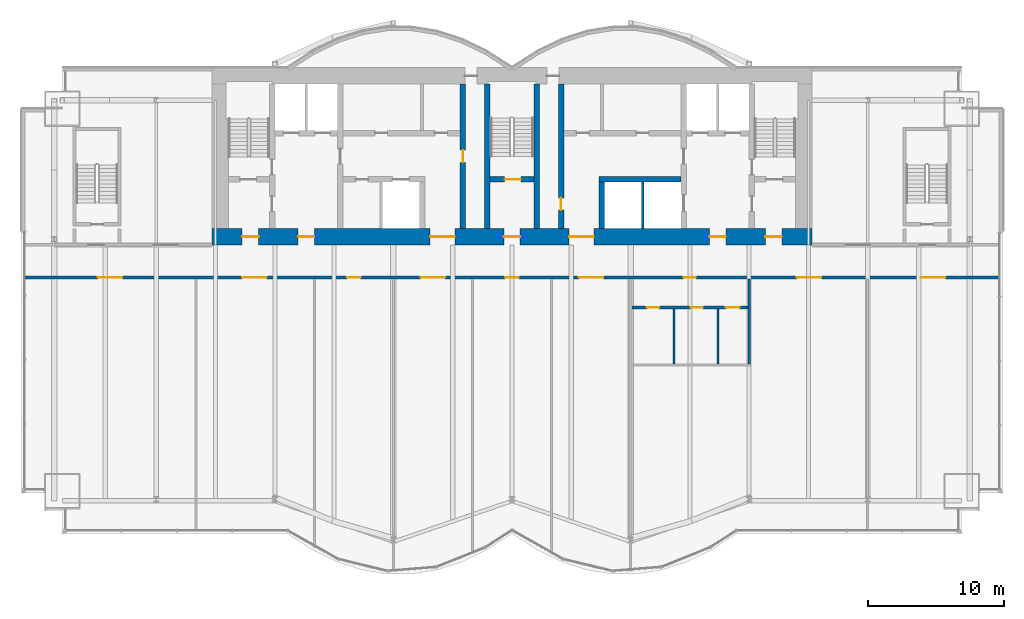
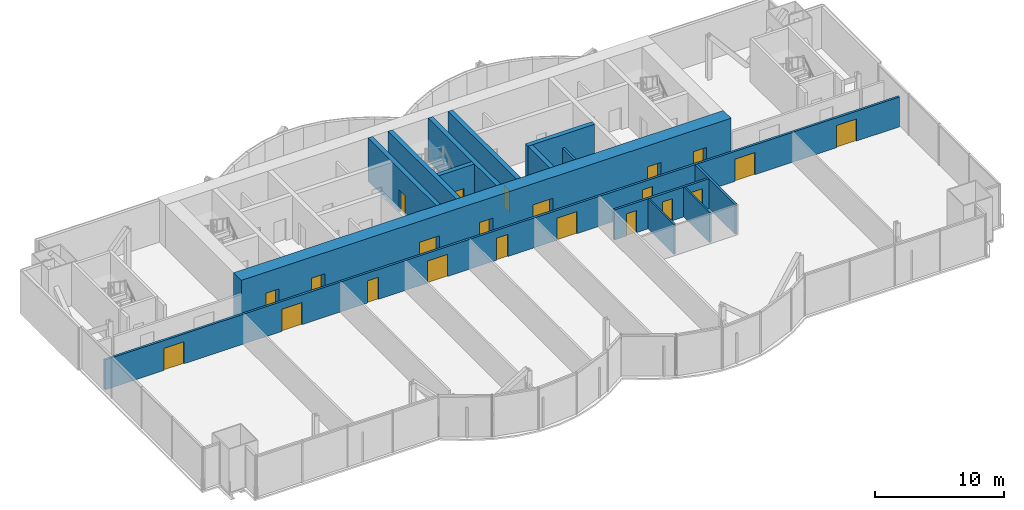
# One storey, part 16 of 21: 22 doors, 14 walls, 22 openings.
"""IFC4 building model written with IfcOpenShell, lengths in metres."""

from ifc_helpers import new_model, si_unit, direction, frame, frame_2d, origin, place, context, subcontext, project, spatial, rectangle, extrude, material, layer, layer_set, type_object, element, fill, save


model = new_model("IFC4")

# Units and contexts
model_context = context("Model", 3, precision=1e-05, world=origin(), true_north=direction((0.0, 1.0)))
body_context = subcontext(model_context, "Body", "Model", "MODEL_VIEW")
ifc_project = project(units=[si_unit("LENGTHUNIT", "METRE"), si_unit("AREAUNIT", "SQUARE_METRE"), si_unit("VOLUMEUNIT", "CUBIC_METRE"), si_unit("PLANEANGLEUNIT", "RADIAN"), si_unit("MASSUNIT", "GRAM", prefix="KILO")], contexts=[model_context])

# Site, building, storey
site_placement = place(None, origin())
site = spatial("IfcSite", under=ifc_project, at=site_placement, CompositionType="ELEMENT")
building_placement = place(site_placement, origin())
building = spatial("IfcBuilding", under=site, at=building_placement, Name="Bicima Exchange Tower", CompositionType="ELEMENT")
storey_placement = place(building_placement, frame((0.0, 0.0, 173.199951171875)))
storey = spatial("IfcBuildingStorey", under=building, at=storey_placement, Name="L38", CompositionType="ELEMENT", Elevation=173.199951171875)

# Wall
ifc_material_1 = material(Name="Gypsum board partition")
ifc_layer_1 = layer(ifc_material_1, 0.199951171875)
ifc_layer_set_1 = layer_set([ifc_layer_1], Name="Gypsum board partition")
wall_type_1 = type_object("IfcWallType", Name="Fire-rated gypsum partition 200 EI120", PredefinedType="PARTITIONING", material=ifc_layer_set_1)
wall_1_placement = place(storey_placement, frame((9.60009765625, -11.800048828125, 0.0), z_axis=(0.0, 0.0, 1.0), x_axis=(0.0, 1.0, 0.0)))
element("IfcWall", 1, at=wall_1_placement, inside=storey, type_object=wall_type_1, Name="partition wall 20", PredefinedType="PARTITIONING", context=body_context, shape_type="SweptSolid", body=[
    extrude(rectangle(XDim=3.400146484375, YDim=0.199951171875, at=frame_2d((1.7001953125, 0.0))), origin(), (0.0, 0.0, 1.0), 2.84033203125),
])

# Wall, openings, doors
ifc_layer_2 = layer(ifc_material_1, 0.199951171875)
ifc_layer_set_2 = layer_set([ifc_layer_2], Name="Gypsum board partition")
wall_type_2 = type_object("IfcWallType", Name="Fire-rated gypsum partition 200 EI60", PredefinedType="PARTITIONING", material=ifc_layer_set_2)
wall_2_placement = place(storey_placement, frame((8.800048828125, -17.60009765625, 0.0), z_axis=(0.0, 0.0, 1.0), x_axis=(1.0, 0.0, 0.0)))
wall_2 = element("IfcWall", 2, at=wall_2_placement, inside=storey, type_object=wall_type_2, Name="partition wall 2", PredefinedType="PARTITIONING", context=body_context, shape_type="SweptSolid", body=[
    extrude(rectangle(XDim=8.5, YDim=0.199951171875, at=frame_2d((4.25, 0.0))), origin(), (0.0, 0.0, 1.0), 2.84033203125),
])
opening_1_placement = place(wall_2_placement, frame((1.10009765625, 0.0, 0.0)))
opening_1 = element("IfcOpeningElement", 3, at=opening_1_placement, cuts=wall_2, Name="Opening L38-014", PredefinedType="OPENING", context=body_context, shape_type="SweptSolid", body=[
    extrude(rectangle(XDim=0.89990234375, YDim=2.10009765625, at=frame_2d((0.449951171875, 1.050048828125))), frame((0.0, 0.11181640625, 0.0), z_axis=(0.0, -1.0, 0.0), x_axis=(1.0, 0.0, 0.0)), (0.0, 0.0, 1.0), 0.223876953125),
])
opening_2_placement = place(wall_2_placement, frame((4.300048828125, 0.0, 0.0)))
opening_2 = element("IfcOpeningElement", 4, at=opening_2_placement, cuts=wall_2, Name="Opening L38-015", PredefinedType="OPENING", context=body_context, shape_type="SweptSolid", body=[
    extrude(rectangle(XDim=0.89990234375, YDim=2.10009765625, at=frame_2d((0.449951171875, 1.050048828125))), frame((0.0, 0.11181640625, 0.0), z_axis=(0.0, -1.0, 0.0), x_axis=(1.0, 0.0, 0.0)), (0.0, 0.0, 1.0), 0.223876953125),
])
opening_3_placement = place(wall_2_placement, frame((6.89990234375, 0.0, 0.0)))
opening_3 = element("IfcOpeningElement", 5, at=opening_3_placement, cuts=wall_2, Name="Opening L38-016", PredefinedType="OPENING", context=body_context, shape_type="SweptSolid", body=[
    extrude(rectangle(XDim=1.0, YDim=2.10009765625, at=frame_2d((0.5, 1.050048828125))), frame((0.0, 0.11181640625, 0.0), z_axis=(0.0, -1.0, 0.0), x_axis=(1.0, 0.0, 0.0)), (0.0, 0.0, 1.0), 0.223876953125),
])
ifc_material_2 = material(Name="Steel fire door leaf", Category="steel")
door_type_1 = type_object("IfcDoorType", Name="Door 1000 swing FD30S", OperationType="SINGLE_SWING_LEFT", PredefinedType="DOOR", material=ifc_material_2)
door_1_placement = place(opening_3_placement, frame((1.0, 0.0, 0.0), z_axis=(0.0, 0.0, 1.0), x_axis=(-1.0, 0.0, 0.0)))
door_1 = element("IfcDoor", 6, at=door_1_placement, inside=storey, type_object=door_type_1, Name="Door", OperationType="SINGLE_SWING_LEFT", OverallHeight=2.10009765625, OverallWidth=1.0, PredefinedType="DOOR", context=body_context, shape_type="SweptSolid", body=[
    extrude(rectangle(XDim=1.0, YDim=2.10009765625, at=frame_2d((0.5, 1.050048828125))), frame((0.0, 0.02490234375, 0.0), z_axis=(0.0, -1.0, 0.0), x_axis=(1.0, 0.0, 0.0)), (0.0, 0.0, 1.0), 0.050048828125),
])
fill(opening_3, door_1)
door_type_2 = type_object("IfcDoorType", Name="Door 900 swing FD30S", OperationType="SINGLE_SWING_LEFT", PredefinedType="DOOR", material=ifc_material_2)
door_2_placement = place(opening_1_placement, frame((0.89990234375, 0.0, 0.0), z_axis=(0.0, 0.0, 1.0), x_axis=(-1.0, 0.0, 0.0)))
door_2 = element("IfcDoor", 7, at=door_2_placement, inside=storey, type_object=door_type_2, Name="Door", OperationType="SINGLE_SWING_RIGHT", OverallHeight=2.10009765625, OverallWidth=0.89990234375, PredefinedType="DOOR", context=body_context, shape_type="SweptSolid", body=[
    extrude(rectangle(XDim=0.89990234375, YDim=2.10009765625, at=frame_2d((0.449951171875, 1.050048828125))), frame((0.0, 0.02490234375, 0.0), z_axis=(0.0, -1.0, 0.0), x_axis=(1.0, 0.0, 0.0)), (0.0, 0.0, 1.0), 0.050048828125),
])
fill(opening_1, door_2)
door_3_placement = place(opening_2_placement, frame((0.89990234375, 0.0, 0.0), z_axis=(0.0, 0.0, 1.0), x_axis=(-1.0, 0.0, 0.0)))
door_3 = element("IfcDoor", 8, at=door_3_placement, inside=storey, type_object=door_type_2, Name="Door", OperationType="SINGLE_SWING_RIGHT", OverallHeight=2.10009765625, OverallWidth=0.89990234375, PredefinedType="DOOR", context=body_context, shape_type="SweptSolid", body=[
    extrude(rectangle(XDim=0.89990234375, YDim=2.10009765625, at=frame_2d((0.449951171875, 1.050048828125))), frame((0.0, 0.02490234375, 0.0), z_axis=(0.0, -1.0, 0.0), x_axis=(1.0, 0.0, 0.0)), (0.0, 0.0, 1.0), 0.050048828125),
])
fill(opening_2, door_3)

wall_3_placement = place(storey_placement, frame((-35.679931640625, -15.39990234375, 0.0), z_axis=(0.0, 0.0, 1.0), x_axis=(1.0, 0.0, 0.0)))
wall_3 = element("IfcWall", 9, at=wall_3_placement, inside=storey, type_object=wall_type_2, Name="partition wall 3", PredefinedType="PARTITIONING", context=body_context, shape_type="SweptSolid", body=[
    extrude(rectangle(XDim=71.35986328125, YDim=0.199951171875, at=frame_2d((35.679931640625, 0.0))), origin(), (0.0, 0.0, 1.0), 2.84033203125),
])
opening_4_placement = place(wall_3_placement, frame((5.300048828125, 0.0, 0.0)))
opening_4 = element("IfcOpeningElement", 10, at=opening_4_placement, cuts=wall_3, Name="Opening L38-007", PredefinedType="OPENING", context=body_context, shape_type="SweptSolid", body=[
    extrude(rectangle(XDim=1.800048828125, YDim=2.10009765625, at=frame_2d((0.89990234375, 1.050048828125))), frame((0.0, 0.11181640625, 0.0), z_axis=(0.0, -1.0, 0.0), x_axis=(1.0, 0.0, 0.0)), (0.0, 0.0, 1.0), 0.223876953125),
])
opening_5_placement = place(wall_3_placement, frame((15.8798828125, 0.0, 0.0)))
opening_5 = element("IfcOpeningElement", 11, at=opening_5_placement, cuts=wall_3, Name="Opening L38-008", PredefinedType="OPENING", context=body_context, shape_type="SweptSolid", body=[
    extrude(rectangle(XDim=1.800048828125, YDim=2.10009765625, at=frame_2d((0.89990234375, 1.050048828125))), frame((0.0, 0.11181640625, 0.0), z_axis=(0.0, -1.0, 0.0), x_axis=(1.0, 0.0, 0.0)), (0.0, 0.0, 1.0), 0.223876953125),
])
opening_6_placement = place(wall_3_placement, frame((23.580078125, 0.0, 0.0)))
opening_6 = element("IfcOpeningElement", 12, at=opening_6_placement, cuts=wall_3, Name="Opening L38-009", PredefinedType="OPENING", context=body_context, shape_type="SweptSolid", body=[
    extrude(rectangle(XDim=1.0, YDim=2.10009765625, at=frame_2d((0.5, 1.050048828125))), frame((0.0, 0.11181640625, 0.0), z_axis=(0.0, -1.0, 0.0), x_axis=(1.0, 0.0, 0.0)), (0.0, 0.0, 1.0), 0.223876953125),
])
opening_7_placement = place(wall_3_placement, frame((28.97998046875, 0.0, 0.0)))
opening_7 = element("IfcOpeningElement", 13, at=opening_7_placement, cuts=wall_3, Name="Opening L38-010", PredefinedType="OPENING", context=body_context, shape_type="SweptSolid", body=[
    extrude(rectangle(XDim=1.800048828125, YDim=2.10009765625, at=frame_2d((0.89990234375, 1.050048828125))), frame((0.0, 0.11181640625, 0.0), z_axis=(0.0, -1.0, 0.0), x_axis=(1.0, 0.0, 0.0)), (0.0, 0.0, 1.0), 0.223876953125),
])
opening_8_placement = place(wall_3_placement, frame((35.179931640625, 0.0, 0.0)))
opening_8 = element("IfcOpeningElement", 14, at=opening_8_placement, cuts=wall_3, Name="Opening L38-011", PredefinedType="OPENING", context=body_context, shape_type="SweptSolid", body=[
    extrude(rectangle(XDim=1.0, YDim=2.10009765625, at=frame_2d((0.5, 1.050048828125))), frame((0.0, 0.11181640625, 0.0), z_axis=(0.0, -1.0, 0.0), x_axis=(1.0, 0.0, 0.0)), (0.0, 0.0, 1.0), 0.223876953125),
])
opening_9_placement = place(wall_3_placement, frame((40.580078125, 0.0, 0.0)))
opening_9 = element("IfcOpeningElement", 15, at=opening_9_placement, cuts=wall_3, Name="Opening L38-012", PredefinedType="OPENING", context=body_context, shape_type="SweptSolid", body=[
    extrude(rectangle(XDim=1.800048828125, YDim=2.10009765625, at=frame_2d((0.89990234375, 1.050048828125))), frame((0.0, 0.11181640625, 0.0), z_axis=(0.0, -1.0, 0.0), x_axis=(1.0, 0.0, 0.0)), (0.0, 0.0, 1.0), 0.223876953125),
])
opening_10_placement = place(wall_3_placement, frame((48.280029296875, 0.0, 0.0)))
opening_10 = element("IfcOpeningElement", 16, at=opening_10_placement, cuts=wall_3, Name="Opening L38-013", PredefinedType="OPENING", context=body_context, shape_type="SweptSolid", body=[
    extrude(rectangle(XDim=0.89990234375, YDim=2.10009765625, at=frame_2d((0.449951171875, 1.050048828125))), frame((0.0, 0.11181640625, 0.0), z_axis=(0.0, -1.0, 0.0), x_axis=(1.0, 0.0, 0.0)), (0.0, 0.0, 1.0), 0.223876953125),
])
opening_11_placement = place(wall_3_placement, frame((56.580078125, 0.0, 0.0)))
opening_11 = element("IfcOpeningElement", 17, at=opening_11_placement, cuts=wall_3, Name="Opening L38-017", PredefinedType="OPENING", context=body_context, shape_type="SweptSolid", body=[
    extrude(rectangle(XDim=1.800048828125, YDim=2.10009765625, at=frame_2d((0.89990234375, 1.050048828125))), frame((0.0, 0.11181640625, 0.0), z_axis=(0.0, -1.0, 0.0), x_axis=(1.0, 0.0, 0.0)), (0.0, 0.0, 1.0), 0.223876953125),
])
opening_12_placement = place(wall_3_placement, frame((65.679931640625, 0.0, 0.0)))
opening_12 = element("IfcOpeningElement", 18, at=opening_12_placement, cuts=wall_3, Name="Opening L38-018", PredefinedType="OPENING", context=body_context, shape_type="SweptSolid", body=[
    extrude(rectangle(XDim=1.800048828125, YDim=2.10009765625, at=frame_2d((0.89990234375, 1.050048828125))), frame((0.0, 0.11181640625, 0.0), z_axis=(0.0, -1.0, 0.0), x_axis=(1.0, 0.0, 0.0)), (0.0, 0.0, 1.0), 0.223876953125),
])
door_4_placement = place(opening_6_placement, frame((1.0, 0.0, 0.0), z_axis=(0.0, 0.0, 1.0), x_axis=(-1.0, 0.0, 0.0)))
door_4 = element("IfcDoor", 19, at=door_4_placement, inside=storey, type_object=door_type_1, Name="Door", OperationType="SINGLE_SWING_RIGHT", OverallHeight=2.10009765625, OverallWidth=1.0, PredefinedType="DOOR", context=body_context, shape_type="SweptSolid", body=[
    extrude(rectangle(XDim=1.0, YDim=2.10009765625, at=frame_2d((0.5, 1.050048828125))), frame((0.0, 0.02490234375, 0.0), z_axis=(0.0, -1.0, 0.0), x_axis=(1.0, 0.0, 0.0)), (0.0, 0.0, 1.0), 0.050048828125),
])
fill(opening_6, door_4)
door_5_placement = place(opening_8_placement, frame((1.0, 0.0, 0.0), z_axis=(0.0, 0.0, 1.0), x_axis=(-1.0, 0.0, 0.0)))
door_5 = element("IfcDoor", 20, at=door_5_placement, inside=storey, type_object=door_type_1, Name="Door", OperationType="SINGLE_SWING_RIGHT", OverallHeight=2.10009765625, OverallWidth=1.0, PredefinedType="DOOR", context=body_context, shape_type="SweptSolid", body=[
    extrude(rectangle(XDim=1.0, YDim=2.10009765625, at=frame_2d((0.5, 1.050048828125))), frame((0.0, 0.02490234375, 0.0), z_axis=(0.0, -1.0, 0.0), x_axis=(1.0, 0.0, 0.0)), (0.0, 0.0, 1.0), 0.050048828125),
])
fill(opening_8, door_5)
door_type_3 = type_object("IfcDoorType", Name="Door 1800 double swing FD30S", OperationType="DOUBLE_DOOR_SINGLE_SWING", PredefinedType="DOOR", material=ifc_material_2)
door_6_placement = place(opening_4_placement, origin())
door_6 = element("IfcDoor", 21, at=door_6_placement, inside=storey, type_object=door_type_3, Name="Door", OperationType="SINGLE_SWING_LEFT", OverallHeight=2.10009765625, OverallWidth=1.800048828125, PredefinedType="DOOR", context=body_context, shape_type="SweptSolid", body=[
    extrude(rectangle(XDim=1.800048828125, YDim=2.10009765625, at=frame_2d((0.89990234375, 1.050048828125))), frame((0.0, 0.02490234375, 0.0), z_axis=(0.0, -1.0, 0.0), x_axis=(1.0, 0.0, 0.0)), (0.0, 0.0, 1.0), 0.050048828125),
])
fill(opening_4, door_6)
door_7_placement = place(opening_5_placement, origin())
door_7 = element("IfcDoor", 22, at=door_7_placement, inside=storey, type_object=door_type_3, Name="Door", OperationType="SINGLE_SWING_LEFT", OverallHeight=2.10009765625, OverallWidth=1.800048828125, PredefinedType="DOOR", context=body_context, shape_type="SweptSolid", body=[
    extrude(rectangle(XDim=1.800048828125, YDim=2.10009765625, at=frame_2d((0.89990234375, 1.050048828125))), frame((0.0, 0.02490234375, 0.0), z_axis=(0.0, -1.0, 0.0), x_axis=(1.0, 0.0, 0.0)), (0.0, 0.0, 1.0), 0.050048828125),
])
fill(opening_5, door_7)
door_8_placement = place(opening_7_placement, origin())
door_8 = element("IfcDoor", 23, at=door_8_placement, inside=storey, type_object=door_type_3, Name="Door", OperationType="SINGLE_SWING_LEFT", OverallHeight=2.10009765625, OverallWidth=1.800048828125, PredefinedType="DOOR", context=body_context, shape_type="SweptSolid", body=[
    extrude(rectangle(XDim=1.800048828125, YDim=2.10009765625, at=frame_2d((0.89990234375, 1.050048828125))), frame((0.0, 0.02490234375, 0.0), z_axis=(0.0, -1.0, 0.0), x_axis=(1.0, 0.0, 0.0)), (0.0, 0.0, 1.0), 0.050048828125),
])
fill(opening_7, door_8)
door_9_placement = place(opening_9_placement, origin())
door_9 = element("IfcDoor", 24, at=door_9_placement, inside=storey, type_object=door_type_3, Name="Door", OperationType="SINGLE_SWING_LEFT", OverallHeight=2.10009765625, OverallWidth=1.800048828125, PredefinedType="DOOR", context=body_context, shape_type="SweptSolid", body=[
    extrude(rectangle(XDim=1.800048828125, YDim=2.10009765625, at=frame_2d((0.89990234375, 1.050048828125))), frame((0.0, 0.02490234375, 0.0), z_axis=(0.0, -1.0, 0.0), x_axis=(1.0, 0.0, 0.0)), (0.0, 0.0, 1.0), 0.050048828125),
])
fill(opening_9, door_9)
door_10_placement = place(opening_11_placement, origin())
door_10 = element("IfcDoor", 25, at=door_10_placement, inside=storey, type_object=door_type_3, Name="Door", OperationType="SINGLE_SWING_LEFT", OverallHeight=2.10009765625, OverallWidth=1.800048828125, PredefinedType="DOOR", context=body_context, shape_type="SweptSolid", body=[
    extrude(rectangle(XDim=1.800048828125, YDim=2.10009765625, at=frame_2d((0.89990234375, 1.050048828125))), frame((0.0, 0.02490234375, 0.0), z_axis=(0.0, -1.0, 0.0), x_axis=(1.0, 0.0, 0.0)), (0.0, 0.0, 1.0), 0.050048828125),
])
fill(opening_11, door_10)
door_11_placement = place(opening_12_placement, origin())
door_11 = element("IfcDoor", 26, at=door_11_placement, inside=storey, type_object=door_type_3, Name="Door", OperationType="SINGLE_SWING_LEFT", OverallHeight=2.10009765625, OverallWidth=1.800048828125, PredefinedType="DOOR", context=body_context, shape_type="SweptSolid", body=[
    extrude(rectangle(XDim=1.800048828125, YDim=2.10009765625, at=frame_2d((0.89990234375, 1.050048828125))), frame((0.0, 0.02490234375, 0.0), z_axis=(0.0, -1.0, 0.0), x_axis=(1.0, 0.0, 0.0)), (0.0, 0.0, 1.0), 0.050048828125),
])
fill(opening_12, door_11)
door_12_placement = place(opening_10_placement, frame((0.89990234375, 0.0, 0.0), z_axis=(0.0, 0.0, 1.0), x_axis=(-1.0, 0.0, 0.0)))
door_12 = element("IfcDoor", 27, at=door_12_placement, inside=storey, type_object=door_type_2, Name="Door", OperationType="SINGLE_SWING_LEFT", OverallHeight=2.10009765625, OverallWidth=0.89990234375, PredefinedType="DOOR", context=body_context, shape_type="SweptSolid", body=[
    extrude(rectangle(XDim=0.89990234375, YDim=2.10009765625, at=frame_2d((0.449951171875, 1.050048828125))), frame((0.0, 0.02490234375, 0.0), z_axis=(0.0, -1.0, 0.0), x_axis=(1.0, 0.0, 0.0)), (0.0, 0.0, 1.0), 0.050048828125),
])
fill(opening_10, door_12)

# Walls
wall_4_placement = place(storey_placement, frame((17.39990234375, -21.72509765625, 0.0), z_axis=(0.0, 0.0, 1.0), x_axis=(0.0, 1.0, 0.0)))
element("IfcWall", 28, at=wall_4_placement, inside=storey, type_object=wall_type_2, Name="partition wall 25", PredefinedType="PARTITIONING", context=body_context, shape_type="SweptSolid", body=[
    extrude(rectangle(XDim=6.22509765625, YDim=0.199951171875, at=frame_2d((3.112548828125, 0.0))), origin(), (0.0, 0.0, 1.0), 2.84033203125),
])
ifc_layer_3 = layer(ifc_material_1, 0.14990234375)
ifc_layer_set_3 = layer_set([ifc_layer_3], Name="Gypsum board partition")
wall_type_3 = type_object("IfcWallType", Name="Gypsum partition 150", PredefinedType="PARTITIONING", material=ifc_layer_set_3)
for number, where, z_axis, x_axis, name in (
    (29, (11.89990234375, -21.72509765625, 0.0), (0.0, 0.0, 1.0), (0.0, 1.0, 0.0), "partition wall 23"),
    (30, (15.10009765625, -21.72509765625, 0.0), (0.0, 0.0, 1.0), (0.0, 1.0, 0.0), "partition wall 24"),
):
    element("IfcWall", number, at=place(storey_placement, frame(where, z_axis=z_axis, x_axis=x_axis)), inside=storey, type_object=wall_type_3, Name=name, PredefinedType="PARTITIONING", context=body_context, shape_type="SweptSolid", body=[
        extrude(rectangle(XDim=4.025146484375, YDim=0.14990234375, at=frame_2d((2.0126953125, 0.0))), origin(), (0.0, 0.0, 1.0), 2.84033203125),
    ])

# Wall, openings, doors
ifc_material_3 = material(Name="Concrete C50/60", Category="concrete")
ifc_layer_4 = layer(ifc_material_3, 1.199951171875)
ifc_layer_set_4 = layer_set([ifc_layer_4], Name="Concrete C50/60")
wall_type_4 = type_object("IfcWallType", Name="RC core wall 1200 C50/60", PredefinedType="SHEAR", material=ifc_layer_set_4)
wall_5_placement = place(storey_placement, frame((-22.0, -12.39990234375, 0.0), z_axis=(0.0, 0.0, 1.0), x_axis=(1.0, 0.0, 0.0)))
wall_5 = element("IfcWall", 31, at=wall_5_placement, inside=storey, type_object=wall_type_4, Name="Core wall south", PredefinedType="SHEAR", context=body_context, shape_type="SweptSolid", body=[
    extrude(rectangle(XDim=44.0, YDim=1.199951171875, at=frame_2d((22.0, 0.0))), origin(), (0.0, 0.0, 1.0), 4.10009765625),
])
opening_13_placement = place(wall_5_placement, frame((2.199951171875, 0.0, 0.0)))
opening_13 = element("IfcOpeningElement", 32, at=opening_13_placement, cuts=wall_5, Name="Opening L38-C19", PredefinedType="OPENING", context=body_context, shape_type="SweptSolid", body=[
    extrude(rectangle(XDim=1.199951171875, YDim=2.10009765625, at=frame_2d((0.60009765625, 1.050048828125))), frame((0.0, 0.61181640625, 0.0), z_axis=(0.0, -1.0, 0.0), x_axis=(1.0, 0.0, 0.0)), (0.0, 0.0, 1.0), 1.223876953125),
])
opening_14_placement = place(wall_5_placement, frame((21.39990234375, 0.0, 0.0)))
opening_14 = element("IfcOpeningElement", 33, at=opening_14_placement, cuts=wall_5, Name="Opening L38-C20", PredefinedType="OPENING", context=body_context, shape_type="SweptSolid", body=[
    extrude(rectangle(XDim=1.199951171875, YDim=2.10009765625, at=frame_2d((0.60009765625, 1.050048828125))), frame((0.0, 0.61181640625, 0.0), z_axis=(0.0, -1.0, 0.0), x_axis=(1.0, 0.0, 0.0)), (0.0, 0.0, 1.0), 1.223876953125),
])
opening_15_placement = place(wall_5_placement, frame((40.60009765625, 0.0, 0.0)))
opening_15 = element("IfcOpeningElement", 34, at=opening_15_placement, cuts=wall_5, Name="Opening L38-C21", PredefinedType="OPENING", context=body_context, shape_type="SweptSolid", body=[
    extrude(rectangle(XDim=1.199951171875, YDim=2.10009765625, at=frame_2d((0.60009765625, 1.050048828125))), frame((0.0, 0.61181640625, 0.0), z_axis=(0.0, -1.0, 0.0), x_axis=(1.0, 0.0, 0.0)), (0.0, 0.0, 1.0), 1.223876953125),
])
opening_16_placement = place(wall_5_placement, frame((16.0, 0.0, 0.0)))
opening_16 = element("IfcOpeningElement", 35, at=opening_16_placement, cuts=wall_5, Name="Opening L38-C22", PredefinedType="OPENING", context=body_context, shape_type="SweptSolid", body=[
    extrude(rectangle(XDim=1.800048828125, YDim=2.10009765625, at=frame_2d((0.89990234375, 1.050048828125))), frame((0.0, 0.61181640625, 0.0), z_axis=(0.0, -1.0, 0.0), x_axis=(1.0, 0.0, 0.0)), (0.0, 0.0, 1.0), 1.223876953125),
])
opening_17_placement = place(wall_5_placement, frame((6.300048828125, 0.0, 0.0)))
opening_17 = element("IfcOpeningElement", 36, at=opening_17_placement, cuts=wall_5, Name="Opening L38-C23", PredefinedType="OPENING", context=body_context, shape_type="SweptSolid", body=[
    extrude(rectangle(XDim=1.199951171875, YDim=2.10009765625, at=frame_2d((0.60009765625, 1.050048828125))), frame((0.0, 0.61181640625, 0.0), z_axis=(0.0, -1.0, 0.0), x_axis=(1.0, 0.0, 0.0)), (0.0, 0.0, 1.0), 1.223876953125),
])
opening_18_placement = place(wall_5_placement, frame((26.199951171875, 0.0, 0.0)))
opening_18 = element("IfcOpeningElement", 37, at=opening_18_placement, cuts=wall_5, Name="Opening L38-C24", PredefinedType="OPENING", context=body_context, shape_type="SweptSolid", body=[
    extrude(rectangle(XDim=1.800048828125, YDim=2.10009765625, at=frame_2d((0.89990234375, 1.050048828125))), frame((0.0, 0.61181640625, 0.0), z_axis=(0.0, -1.0, 0.0), x_axis=(1.0, 0.0, 0.0)), (0.0, 0.0, 1.0), 1.223876953125),
])
opening_19_placement = place(wall_5_placement, frame((36.5, 0.0, 0.0)))
opening_19 = element("IfcOpeningElement", 38, at=opening_19_placement, cuts=wall_5, Name="Opening L38-C25", PredefinedType="OPENING", context=body_context, shape_type="SweptSolid", body=[
    extrude(rectangle(XDim=1.199951171875, YDim=2.10009765625, at=frame_2d((0.60009765625, 1.050048828125))), frame((0.0, 0.61181640625, 0.0), z_axis=(0.0, -1.0, 0.0), x_axis=(1.0, 0.0, 0.0)), (0.0, 0.0, 1.0), 1.223876953125),
])
door_type_4 = type_object("IfcDoorType", Name="Door 1200 swing FD60S", OperationType="SINGLE_SWING_LEFT", PredefinedType="DOOR", material=ifc_material_2)
door_13_placement = place(opening_13_placement, frame((1.199951171875, 0.0, 0.0), z_axis=(0.0, 0.0, 1.0), x_axis=(-1.0, 0.0, 0.0)))
door_13 = element("IfcDoor", 39, at=door_13_placement, inside=storey, type_object=door_type_4, Name="Core door", OperationType="SINGLE_SWING_RIGHT", OverallHeight=2.10009765625, OverallWidth=1.199951171875, PredefinedType="DOOR", context=body_context, shape_type="SweptSolid", body=[
    extrude(rectangle(XDim=1.199951171875, YDim=2.10009765625, at=frame_2d((0.60009765625, 1.050048828125))), frame((0.0, 0.02490234375, 0.0), z_axis=(0.0, -1.0, 0.0), x_axis=(1.0, 0.0, 0.0)), (0.0, 0.0, 1.0), 0.050048828125),
])
fill(opening_13, door_13)
door_14_placement = place(opening_14_placement, frame((1.199951171875, 0.0, 0.0), z_axis=(0.0, 0.0, 1.0), x_axis=(-1.0, 0.0, 0.0)))
door_14 = element("IfcDoor", 40, at=door_14_placement, inside=storey, type_object=door_type_4, Name="Core door", OperationType="SINGLE_SWING_RIGHT", OverallHeight=2.10009765625, OverallWidth=1.199951171875, PredefinedType="DOOR", context=body_context, shape_type="SweptSolid", body=[
    extrude(rectangle(XDim=1.199951171875, YDim=2.10009765625, at=frame_2d((0.60009765625, 1.050048828125))), frame((0.0, 0.02490234375, 0.0), z_axis=(0.0, -1.0, 0.0), x_axis=(1.0, 0.0, 0.0)), (0.0, 0.0, 1.0), 0.050048828125),
])
fill(opening_14, door_14)
door_15_placement = place(opening_15_placement, frame((1.199951171875, 0.0, 0.0), z_axis=(0.0, 0.0, 1.0), x_axis=(-1.0, 0.0, 0.0)))
door_15 = element("IfcDoor", 41, at=door_15_placement, inside=storey, type_object=door_type_4, Name="Core door", OperationType="SINGLE_SWING_RIGHT", OverallHeight=2.10009765625, OverallWidth=1.199951171875, PredefinedType="DOOR", context=body_context, shape_type="SweptSolid", body=[
    extrude(rectangle(XDim=1.199951171875, YDim=2.10009765625, at=frame_2d((0.60009765625, 1.050048828125))), frame((0.0, 0.02490234375, 0.0), z_axis=(0.0, -1.0, 0.0), x_axis=(1.0, 0.0, 0.0)), (0.0, 0.0, 1.0), 0.050048828125),
])
fill(opening_15, door_15)
door_16_placement = place(opening_17_placement, frame((1.199951171875, 0.0, 0.0), z_axis=(0.0, 0.0, 1.0), x_axis=(-1.0, 0.0, 0.0)))
door_16 = element("IfcDoor", 42, at=door_16_placement, inside=storey, type_object=door_type_4, Name="Core door", OperationType="SINGLE_SWING_RIGHT", OverallHeight=2.10009765625, OverallWidth=1.199951171875, PredefinedType="DOOR", context=body_context, shape_type="SweptSolid", body=[
    extrude(rectangle(XDim=1.199951171875, YDim=2.10009765625, at=frame_2d((0.60009765625, 1.050048828125))), frame((0.0, 0.02490234375, 0.0), z_axis=(0.0, -1.0, 0.0), x_axis=(1.0, 0.0, 0.0)), (0.0, 0.0, 1.0), 0.050048828125),
])
fill(opening_17, door_16)
door_17_placement = place(opening_19_placement, frame((1.199951171875, 0.0, 0.0), z_axis=(0.0, 0.0, 1.0), x_axis=(-1.0, 0.0, 0.0)))
door_17 = element("IfcDoor", 43, at=door_17_placement, inside=storey, type_object=door_type_4, Name="Core door", OperationType="SINGLE_SWING_RIGHT", OverallHeight=2.10009765625, OverallWidth=1.199951171875, PredefinedType="DOOR", context=body_context, shape_type="SweptSolid", body=[
    extrude(rectangle(XDim=1.199951171875, YDim=2.10009765625, at=frame_2d((0.60009765625, 1.050048828125))), frame((0.0, 0.02490234375, 0.0), z_axis=(0.0, -1.0, 0.0), x_axis=(1.0, 0.0, 0.0)), (0.0, 0.0, 1.0), 0.050048828125),
])
fill(opening_19, door_17)
door_18_placement = place(opening_16_placement, origin())
door_18 = element("IfcDoor", 44, at=door_18_placement, inside=storey, type_object=door_type_3, Name="Core door", OperationType="SINGLE_SWING_LEFT", OverallHeight=2.10009765625, OverallWidth=1.800048828125, PredefinedType="DOOR", context=body_context, shape_type="SweptSolid", body=[
    extrude(rectangle(XDim=1.800048828125, YDim=2.10009765625, at=frame_2d((0.89990234375, 1.050048828125))), frame((0.0, 0.02490234375, 0.0), z_axis=(0.0, -1.0, 0.0), x_axis=(1.0, 0.0, 0.0)), (0.0, 0.0, 1.0), 0.050048828125),
])
fill(opening_16, door_18)
door_19_placement = place(opening_18_placement, origin())
door_19 = element("IfcDoor", 45, at=door_19_placement, inside=storey, type_object=door_type_3, Name="Core door", OperationType="SINGLE_SWING_LEFT", OverallHeight=2.10009765625, OverallWidth=1.800048828125, PredefinedType="DOOR", context=body_context, shape_type="SweptSolid", body=[
    extrude(rectangle(XDim=1.800048828125, YDim=2.10009765625, at=frame_2d((0.89990234375, 1.050048828125))), frame((0.0, 0.02490234375, 0.0), z_axis=(0.0, -1.0, 0.0), x_axis=(1.0, 0.0, 0.0)), (0.0, 0.0, 1.0), 0.050048828125),
])
fill(opening_18, door_19)

# Wall, opening, door
ifc_layer_5 = layer(ifc_material_3, 0.39990234375)
ifc_layer_set_5 = layer_set([ifc_layer_5], Name="Concrete C50/60")
wall_type_5 = type_object("IfcWallType", Name="RC core wall 400 C50/60", PredefinedType="SHEAR", material=ifc_layer_set_5)
wall_6_placement = place(storey_placement, frame((-1.60009765625, -8.199951171875, 0.0), z_axis=(0.0, 0.0, 1.0), x_axis=(1.0, 0.0, 0.0)))
wall_6 = element("IfcWall", 46, at=wall_6_placement, inside=storey, type_object=wall_type_5, Name="stair wall 3", PredefinedType="SHEAR", context=body_context, shape_type="SweptSolid", body=[
    extrude(rectangle(XDim=3.2001953125, YDim=0.39990234375, at=frame_2d((1.60009765625, 0.0))), origin(), (0.0, 0.0, 1.0), 4.10009765625),
])
opening_20_placement = place(wall_6_placement, frame((1.050048828125, 0.0, 0.0)))
opening_20 = element("IfcOpeningElement", 47, at=opening_20_placement, cuts=wall_6, Name="Opening L38-C03", PredefinedType="OPENING", context=body_context, shape_type="SweptSolid", body=[
    extrude(rectangle(XDim=1.199951171875, YDim=2.10009765625, at=frame_2d((0.60009765625, 1.050048828125))), frame((0.0, 0.2119140625, 0.0), z_axis=(0.0, -1.0, 0.0), x_axis=(1.0, 0.0, 0.0)), (0.0, 0.0, 1.0), 0.423828125),
])
door_20_placement = place(opening_20_placement, origin())
door_20 = element("IfcDoor", 48, at=door_20_placement, inside=storey, type_object=door_type_4, Name="Core door", OperationType="SINGLE_SWING_LEFT", OverallHeight=2.10009765625, OverallWidth=1.199951171875, PredefinedType="DOOR", context=body_context, shape_type="SweptSolid", body=[
    extrude(rectangle(XDim=1.199951171875, YDim=2.10009765625, at=frame_2d((0.60009765625, 1.050048828125))), frame((0.0, 0.02490234375, 0.0), z_axis=(0.0, -1.0, 0.0), x_axis=(1.0, 0.0, 0.0)), (0.0, 0.0, 1.0), 0.050048828125),
])
fill(opening_20, door_20)

# Wall
wall_7_placement = place(storey_placement, frame((6.39990234375, -8.199951171875, 0.0), z_axis=(0.0, 0.0, 1.0), x_axis=(1.0, 0.0, 0.0)))
element("IfcWall", 49, at=wall_7_placement, inside=storey, type_object=wall_type_5, Name="shear wall 4", PredefinedType="SHEAR", context=body_context, shape_type="SweptSolid", body=[
    extrude(rectangle(XDim=6.0, YDim=0.39990234375, at=frame_2d((3.0, 0.0))), origin(), (0.0, 0.0, 1.0), 4.10009765625),
])

# Wall, opening, door
wall_8_placement = place(storey_placement, frame((-3.60009765625, -11.800048828125, 0.0), z_axis=(0.0, 0.0, 1.0), x_axis=(0.0, 1.0, 0.0)))
wall_8 = element("IfcWall", 50, at=wall_8_placement, inside=storey, type_object=wall_type_5, Name="shear wall 14", PredefinedType="SHEAR", context=body_context, shape_type="SweptSolid", body=[
    extrude(rectangle(XDim=10.60009765625, YDim=0.39990234375, at=frame_2d((5.300048828125, 0.0))), origin(), (0.0, 0.0, 1.0), 4.10009765625),
])
opening_21_placement = place(wall_8_placement, frame((4.85009765625, 0.0, 0.0)))
opening_21 = element("IfcOpeningElement", 51, at=opening_21_placement, cuts=wall_8, Name="Opening L38-C10", PredefinedType="OPENING", context=body_context, shape_type="SweptSolid", body=[
    extrude(rectangle(XDim=0.89990234375, YDim=2.10009765625, at=frame_2d((0.449951171875, 1.050048828125))), frame((0.0, 0.2119140625, 0.0), z_axis=(0.0, -1.0, 0.0), x_axis=(1.0, 0.0, 0.0)), (0.0, 0.0, 1.0), 0.423828125),
])
door_21_placement = place(opening_21_placement, frame((0.89990234375, 0.0, 0.0), z_axis=(0.0, 0.0, 1.0), x_axis=(-1.0, 0.0, 0.0)))
door_21 = element("IfcDoor", 52, at=door_21_placement, inside=storey, type_object=door_type_2, Name="Core door", OperationType="SINGLE_SWING_LEFT", OverallHeight=2.10009765625, OverallWidth=0.89990234375, PredefinedType="DOOR", context=body_context, shape_type="SweptSolid", body=[
    extrude(rectangle(XDim=0.89990234375, YDim=2.10009765625, at=frame_2d((0.449951171875, 1.050048828125))), frame((0.0, 0.02490234375, 0.0), z_axis=(0.0, -1.0, 0.0), x_axis=(1.0, 0.0, 0.0)), (0.0, 0.0, 1.0), 0.050048828125),
])
fill(opening_21, door_21)

# Walls
for number, where, z_axis, x_axis, name in (
    (53, (-1.800048828125, -11.800048828125, 0.0), (0.0, 0.0, 1.0), (0.0, 1.0, 0.0), "stair wall 15"),
    (54, (1.800048828125, -11.800048828125, 0.0), (0.0, 0.0, 1.0), (0.0, 1.0, 0.0), "stair wall 16"),
):
    element("IfcWall", number, at=place(storey_placement, frame(where, z_axis=z_axis, x_axis=x_axis)), inside=storey, type_object=wall_type_5, Name=name, PredefinedType="SHEAR", context=body_context, shape_type="SweptSolid", body=[
        extrude(rectangle(XDim=10.60009765625, YDim=0.39990234375, at=frame_2d((5.300048828125, 0.0))), origin(), (0.0, 0.0, 1.0), 4.10009765625),
    ])

# Wall, opening, door
wall_9_placement = place(storey_placement, frame((3.60009765625, -11.800048828125, 0.0), z_axis=(0.0, 0.0, 1.0), x_axis=(0.0, 1.0, 0.0)))
wall_9 = element("IfcWall", 55, at=wall_9_placement, inside=storey, type_object=wall_type_5, Name="shear wall 17", PredefinedType="SHEAR", context=body_context, shape_type="SweptSolid", body=[
    extrude(rectangle(XDim=10.60009765625, YDim=0.39990234375, at=frame_2d((5.300048828125, 0.0))), origin(), (0.0, 0.0, 1.0), 4.10009765625),
])
opening_22_placement = place(wall_9_placement, frame((1.35009765625, 0.0, 0.0)))
opening_22 = element("IfcOpeningElement", 56, at=opening_22_placement, cuts=wall_9, Name="Opening L38-C11", PredefinedType="OPENING", context=body_context, shape_type="SweptSolid", body=[
    extrude(rectangle(XDim=0.89990234375, YDim=2.10009765625, at=frame_2d((0.449951171875, 1.050048828125))), frame((0.0, 0.2119140625, 0.0), z_axis=(0.0, -1.0, 0.0), x_axis=(1.0, 0.0, 0.0)), (0.0, 0.0, 1.0), 0.423828125),
])
door_22_placement = place(opening_22_placement, origin())
door_22 = element("IfcDoor", 57, at=door_22_placement, inside=storey, type_object=door_type_2, Name="Core door", OperationType="SINGLE_SWING_LEFT", OverallHeight=2.10009765625, OverallWidth=0.89990234375, PredefinedType="DOOR", context=body_context, shape_type="SweptSolid", body=[
    extrude(rectangle(XDim=0.89990234375, YDim=2.10009765625, at=frame_2d((0.449951171875, 1.050048828125))), frame((0.0, 0.02490234375, 0.0), z_axis=(0.0, -1.0, 0.0), x_axis=(1.0, 0.0, 0.0)), (0.0, 0.0, 1.0), 0.050048828125),
])
fill(opening_22, door_22)

# Wall
wall_10_placement = place(storey_placement, frame((6.60009765625, -11.800048828125, 0.0), z_axis=(0.0, 0.0, 1.0), x_axis=(0.0, 1.0, 0.0)))
element("IfcWall", 58, at=wall_10_placement, inside=storey, type_object=wall_type_5, Name="shear wall 18", PredefinedType="SHEAR", context=body_context, shape_type="SweptSolid", body=[
    extrude(rectangle(XDim=3.400146484375, YDim=0.39990234375, at=frame_2d((1.7001953125, 0.0))), origin(), (0.0, 0.0, 1.0), 4.10009765625),
])

save(model, "model.ifc")
